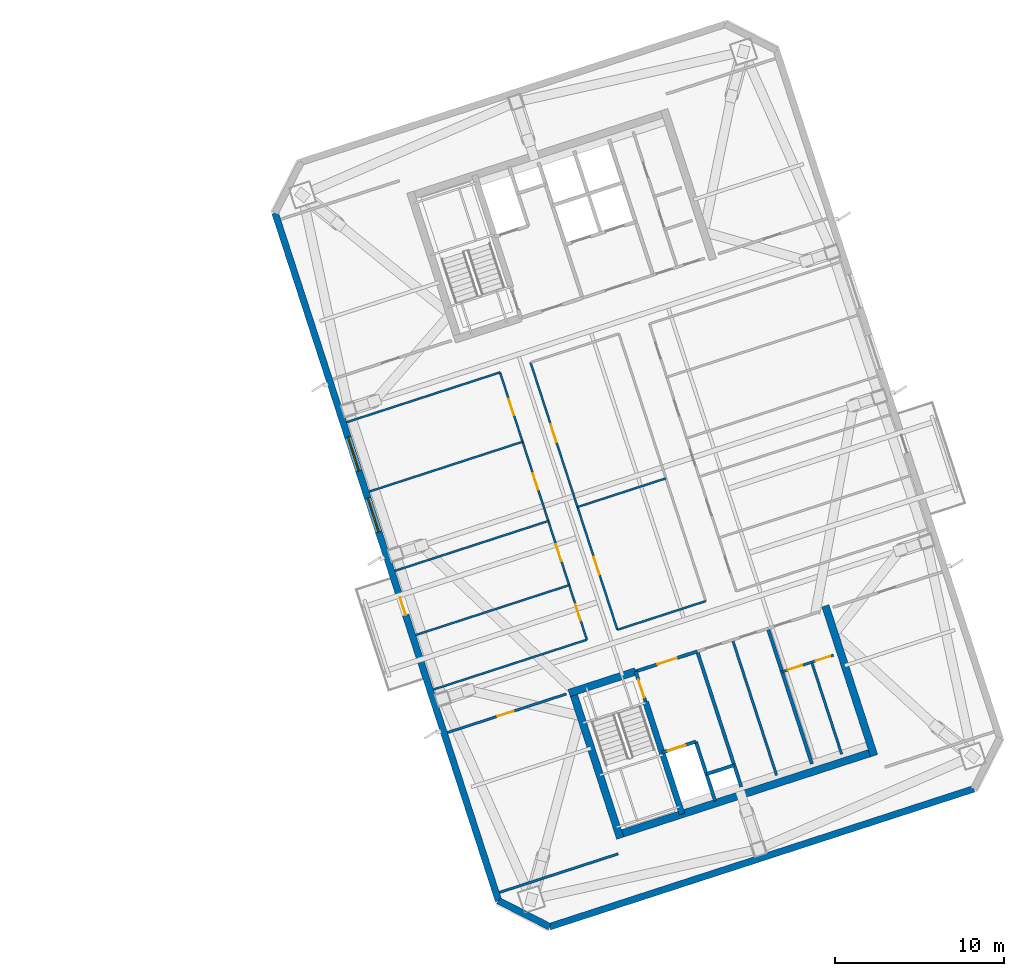
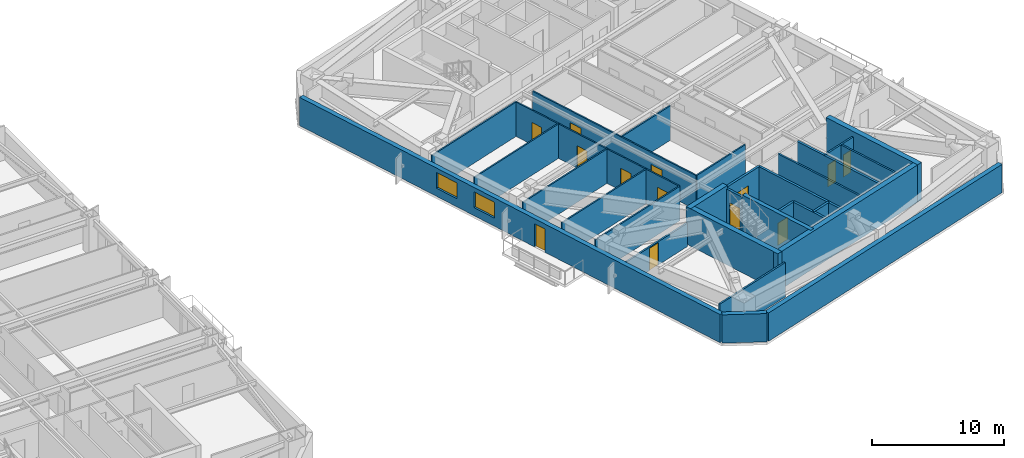
# One storey, part 9 of 18: 29 walls, 13 doors, 2 windows, 15 openings.
"""IFC4 building model written with IfcOpenShell, lengths in metres."""

from ifc_helpers import new_model, si_unit, direction, frame, frame_2d, origin, place, context, subcontext, project, spatial, rectangle, extrude, material, layer, layer_set, type_object, element, fill, save


model = new_model("IFC4")

# Units and contexts
model_context = context("Model", 3, precision=1e-05, world=origin(), true_north=direction((0.0, 1.0)))
body_context = subcontext(model_context, "Body", "Model", "MODEL_VIEW")
ifc_project = project(units=[si_unit("LENGTHUNIT", "METRE"), si_unit("AREAUNIT", "SQUARE_METRE"), si_unit("VOLUMEUNIT", "CUBIC_METRE"), si_unit("PLANEANGLEUNIT", "RADIAN"), si_unit("MASSUNIT", "GRAM", prefix="KILO")], contexts=[model_context])

# Site, building, storey
site_placement = place(None, origin())
site = spatial("IfcSite", under=ifc_project, at=site_placement, CompositionType="ELEMENT")
building_placement = place(site_placement, origin())
building = spatial("IfcBuilding", under=site, at=building_placement, Name="Qiaolan Cultural Towers", CompositionType="ELEMENT")
storey_placement = place(building_placement, frame((0.0, 0.0, 195.5)))
storey = spatial("IfcBuildingStorey", under=building, at=storey_placement, Name="L52", CompositionType="ELEMENT", Elevation=195.5)

# Walls
ifc_material_1 = material(Name="Concrete C50", Category="concrete")
ifc_layer_1 = layer(ifc_material_1, 0.35009765625)
ifc_layer_set_1 = layer_set([ifc_layer_1], Name="Concrete C50")
wall_type_1 = type_object("IfcWallType", Name="WL-CORE-350", PredefinedType="SHEAR", material=ifc_layer_set_1)
wall_1_placement = place(storey_placement, frame((90.486328125, 20.59423828125, 0.0), z_axis=(0.0, 0.0, 1.0), x_axis=(0.309020428229, -0.951055400562, 0.0)))
element("IfcWall", 1, at=wall_1_placement, inside=storey, type_object=wall_type_1, Name="L52 T2-CS Stair Core Dividing Web", PredefinedType="SHEAR", context=body_context, shape_type="SweptSolid", body=[
    extrude(rectangle(XDim=6.97998046875, YDim=0.35009765625, at=frame_2d((3.489990234375, 0.0))), origin(), (0.0, 0.0, 1.0), 3.449951171875),
])
ifc_material_2 = material(Name="Concrete C50", Category="concrete")
ifc_layer_2 = layer(ifc_material_2, 0.449951171875)
ifc_layer_set_2 = layer_set([ifc_layer_2], Name="Concrete C50")
wall_type_2 = type_object("IfcWallType", Name="WL-CORE-450", PredefinedType="SHEAR", material=ifc_layer_set_2)
wall_2_placement = place(storey_placement, frame((88.701171875, 12.675048828125, 0.0), z_axis=(0.0, 0.0, 1.0), x_axis=(0.95105824505, 0.309011673763, 0.0)))
element("IfcWall", 2, at=wall_2_placement, inside=storey, type_object=wall_type_2, Name="L52 T2-CS Outer Core Shear Wall", PredefinedType="SHEAR", context=body_context, shape_type="SweptSolid", body=[
    extrude(rectangle(XDim=16.250244140625, YDim=0.449951171875, at=frame_2d((8.125, 0.0))), origin(), (0.0, 0.0, 1.0), 3.449951171875),
])
for number, where, z_axis, x_axis, name in (
    (3, (86.1015625, 21.40380859375, 0.0), (0.0, 0.0, 1.0), (0.309035778627, -0.951050412717, 0.0), "L52 T2-CS West Core Shear Wall"),
    (4, (101.12841796875, 26.286376953125, 0.0), (0.0, 0.0, 1.0), (0.309004419953, -0.951060601881, 0.0), "L52 T2-CS East Core Shear Wall"),
):
    element("IfcWall", number, at=place(storey_placement, frame(where, z_axis=z_axis, x_axis=x_axis)), inside=storey, type_object=wall_type_2, Name=name, PredefinedType="SHEAR", context=body_context, shape_type="SweptSolid", body=[
        extrude(rectangle(XDim=9.330078125, YDim=0.449951171875, at=frame_2d((4.6650390625, 0.0))), origin(), (0.0, 0.0, 1.0), 3.449951171875),
    ])
wall_3_placement = place(storey_placement, frame((85.957275390625, 21.120361328125, 0.0), z_axis=(0.0, 0.0, 1.0), x_axis=(0.951064796122, 0.308991510526, 0.0)))
element("IfcWall", 5, at=wall_3_placement, inside=storey, type_object=wall_type_2, Name="L52 T2-CS Stair Front Shear Wall", PredefinedType="SHEAR", context=body_context, shape_type="SweptSolid", body=[
    extrude(rectangle(XDim=4.14501953125, YDim=0.449951171875, at=frame_2d((2.072509765625, 0.0))), origin(), (0.0, 0.0, 1.0), 3.449951171875),
])

# Wall, openings, door, windows
ifc_material_3 = material(Name="Precast Concrete C50 Honed Stone Pier", Category="masonry")
ifc_layer_3 = layer(ifc_material_3, 0.39990234375)
ifc_layer_set_3 = layer_set([ifc_layer_3], Name="Precast Concrete C50 Honed Stone Pier")
wall_type_3 = type_object("IfcWallType", Name="WL-EXT-PIER-400", PredefinedType="SOLIDWALL", material=ifc_layer_set_3)
wall_4_placement = place(storey_placement, frame((81.7763671875, 8.82666015625, 0.0), z_axis=(0.0, 0.0, 1.0), x_axis=(-0.309014228706, 0.951057414911, 0.0)))
wall_4 = element("IfcWall", 6, at=wall_4_placement, inside=storey, type_object=wall_type_3, Name="L52 East Tower Precast Pier Facade Wall F1", PredefinedType="SOLIDWALL", context=body_context, shape_type="SweptSolid", body=[
    extrude(rectangle(XDim=42.800048828125, YDim=0.39990234375, at=frame_2d((21.39990234375, 0.0))), origin(), (0.0, 0.0, 1.0), 2.610107421875),
])
opening_1_placement = place(wall_4_placement, frame((22.949951171875, 0.0, 0.75)))
opening_1 = element("IfcOpeningElement", 7, at=opening_1_placement, cuts=wall_4, Name="Opening W-05", PredefinedType="OPENING", context=body_context, shape_type="SweptSolid", body=[
    extrude(rectangle(XDim=2.10009765625, YDim=1.4599609375, at=frame_2d((1.050048828125, 0.72998046875))), frame((0.0, 0.2099609375, 0.0), z_axis=(0.0, -1.0, 0.0), x_axis=(1.0, 0.0, 0.0)), (0.0, 0.0, 1.0), 0.419921875),
])
opening_2_placement = place(wall_4_placement, frame((26.75, 0.0, 0.75)))
opening_2 = element("IfcOpeningElement", 8, at=opening_2_placement, cuts=wall_4, Name="Opening W-05", PredefinedType="OPENING", context=body_context, shape_type="SweptSolid", body=[
    extrude(rectangle(XDim=2.10009765625, YDim=1.4599609375, at=frame_2d((1.050048828125, 0.72998046875))), frame((0.0, 0.2099609375, 0.0), z_axis=(0.0, -1.0, 0.0), x_axis=(1.0, 0.0, 0.0)), (0.0, 0.0, 1.0), 0.419921875),
])
opening_3_placement = place(wall_4_placement, frame((17.787109375, 0.0, 0.0)))
opening_3 = element("IfcOpeningElement", 9, at=opening_3_placement, cuts=wall_4, Name="Opening BD-01", PredefinedType="OPENING", context=body_context, shape_type="SweptSolid", body=[
    extrude(rectangle(XDim=1.10009765625, YDim=2.14990234375, at=frame_2d((0.550048828125, 1.074951171875))), frame((0.0, 0.2099609375, 0.0), z_axis=(0.0, -1.0, 0.0), x_axis=(1.0, 0.0, 0.0)), (0.0, 0.0, 1.0), 0.419921875),
])
ifc_material_4 = material(Name="Thermally Broken Aluminium Glazed Terrace Door", Category="aluminium")
door_type_1 = type_object("IfcDoorType", Name="DR-BAL-1100", OperationType="NOTDEFINED", PredefinedType="DOOR", material=ifc_material_4)
door_1_placement = place(opening_3_placement, origin())
door_1 = element("IfcDoor", 10, at=door_1_placement, inside=storey, type_object=door_type_1, Name="L52 T2 West Tree Balcony Door", OperationType="SINGLE_SWING_LEFT", OverallHeight=2.14990234375, OverallWidth=1.10009765625, PredefinedType="DOOR", context=body_context, shape_type="SweptSolid", body=[
    extrude(rectangle(XDim=1.10009765625, YDim=2.14990234375, at=frame_2d((0.550048828125, 1.074951171875))), frame((0.0, 0.02490234375, 0.0), z_axis=(0.0, -1.0, 0.0), x_axis=(1.0, 0.0, 0.0)), (0.0, 0.0, 1.0), 0.050048828125),
])
fill(opening_3, door_1)
ifc_material_5 = material(Name="Thermally Broken Aluminium Triple Low-E Glazing", Category="aluminium")
window_type = type_object("IfcWindowType", Name="WN-CHIC-2100", PartitioningType="SINGLE_PANEL", PredefinedType="WINDOW", material=ifc_material_5)
window_1_placement = place(opening_1_placement, origin())
window_1 = element("IfcWindow", 11, at=window_1_placement, inside=storey, type_object=window_type, Name="L52 T2 W Chicago Bay Window 1", OverallHeight=1.4599609375, OverallWidth=2.10009765625, PartitioningType="TRIPLE_PANEL_VERTICAL", PredefinedType="WINDOW", context=body_context, shape_type="SweptSolid", body=[
    extrude(rectangle(XDim=2.10009765625, YDim=1.4599609375, at=frame_2d((1.050048828125, 0.72998046875))), frame((0.0, 0.030029296875, 0.0), z_axis=(0.0, -1.0, 0.0), x_axis=(1.0, 0.0, 0.0)), (0.0, 0.0, 1.0), 0.06005859375),
])
fill(opening_1, window_1)
window_2_placement = place(opening_2_placement, origin())
window_2 = element("IfcWindow", 12, at=window_2_placement, inside=storey, type_object=window_type, Name="L52 T2 W Chicago Bay Window 2", OverallHeight=1.4599609375, OverallWidth=2.10009765625, PartitioningType="TRIPLE_PANEL_VERTICAL", PredefinedType="WINDOW", context=body_context, shape_type="SweptSolid", body=[
    extrude(rectangle(XDim=2.10009765625, YDim=1.4599609375, at=frame_2d((1.050048828125, 0.72998046875))), frame((0.0, 0.030029296875, 0.0), z_axis=(0.0, -1.0, 0.0), x_axis=(1.0, 0.0, 0.0)), (0.0, 0.0, 1.0), 0.06005859375),
])
fill(opening_2, window_2)

# Walls
wall_5_placement = place(storey_placement, frame((109.908447265625, 15.44384765625, 0.0), z_axis=(0.0, 0.0, 1.0), x_axis=(-0.951057580055, -0.30901372044, 0.0)))
element("IfcWall", 13, at=wall_5_placement, inside=storey, type_object=wall_type_3, Name="L52 East Tower Precast Pier Facade Wall F7", PredefinedType="SOLIDWALL", context=body_context, shape_type="SweptSolid", body=[
    extrude(rectangle(XDim=26.39990234375, YDim=0.39990234375, at=frame_2d((13.199951171875, 0.0))), origin(), (0.0, 0.0, 1.0), 2.610107421875),
])
wall_6_placement = place(storey_placement, frame((84.800537109375, 7.285888671875, 0.0), z_axis=(0.0, 0.0, 1.0), x_axis=(-0.891020832027, 0.453962417932, 0.0)))
element("IfcWall", 14, at=wall_6_placement, inside=storey, type_object=wall_type_3, Name="L52 East Tower Precast Pier Facade Wall F8", PredefinedType="SOLIDWALL", context=body_context, shape_type="SweptSolid", body=[
    extrude(rectangle(XDim=3.39404296875, YDim=0.39990234375, at=frame_2d((1.697021484375, 0.0))), origin(), (0.0, 0.0, 1.0), 2.610107421875),
])

# Wall, opening, door
ifc_material_6 = material(Name="Concrete C35 Fire Wall", Category="concrete")
ifc_layer_4 = layer(ifc_material_6, 0.199951171875)
ifc_layer_set_4 = layer_set([ifc_layer_4], Name="Concrete C35 Fire Wall")
wall_type_4 = type_object("IfcWallType", Name="WL-FIRE-200", PredefinedType="PARTITIONING", material=ifc_layer_set_4)
wall_7_placement = place(storey_placement, frame((89.8994140625, 22.401123046875, 0.0), z_axis=(0.0, 0.0, 1.0), x_axis=(0.308932062672, -0.951084108086, 0.0)))
wall_7 = element("IfcWall", 15, at=wall_7_placement, inside=storey, type_object=wall_type_4, Name="L52 T2-CS Smokeproof Stair Entry Wall", PredefinedType="PARTITIONING", context=body_context, shape_type="SweptSolid", body=[
    extrude(rectangle(XDim=1.89990234375, YDim=0.199951171875, at=frame_2d((0.949951171875, 0.0))), origin(), (0.0, 0.0, 1.0), 3.175048828125),
])
opening_4_placement = place(wall_7_placement, frame((0.52001953125, 0.0, 0.0)))
opening_4 = element("IfcOpeningElement", 16, at=opening_4_placement, cuts=wall_7, Name="Opening FD-04", PredefinedType="OPENING", context=body_context, shape_type="SweptSolid", body=[
    extrude(rectangle(XDim=1.10009765625, YDim=2.050048828125, at=frame_2d((0.550048828125, 1.02490234375))), frame((0.0, 0.10986328125, 0.0), z_axis=(0.0, -1.0, 0.0), x_axis=(1.0, 0.0, 0.0)), (0.0, 0.0, 1.0), 0.219970703125),
])
ifc_material_7 = material(Name="Galvanized Steel Command Fire Door", Category="steel")
door_type_2 = type_object("IfcDoorType", Name="DR-FD90-1100", OperationType="NOTDEFINED", PredefinedType="DOOR", material=ifc_material_7)
door_2_placement = place(opening_4_placement, origin())
door_2 = element("IfcDoor", 17, at=door_2_placement, inside=storey, type_object=door_type_2, Name="L52 ST-E1 Smokeproof Stair Fire Door", OperationType="SINGLE_SWING_LEFT", OverallHeight=2.050048828125, OverallWidth=1.10009765625, PredefinedType="DOOR", context=body_context, shape_type="SweptSolid", body=[
    extrude(rectangle(XDim=1.10009765625, YDim=2.050048828125, at=frame_2d((0.550048828125, 1.02490234375))), frame((0.0, 0.02490234375, 0.0), z_axis=(0.0, -1.0, 0.0), x_axis=(1.0, 0.0, 0.0)), (0.0, 0.0, 1.0), 0.050048828125),
])
fill(opening_4, door_2)

# Wall
wall_8_placement = place(storey_placement, frame((93.541748046875, 23.584716796875, 0.0), z_axis=(0.0, 0.0, 1.0), x_axis=(0.309042196757, -0.951048327176, 0.0)))
element("IfcWall", 18, at=wall_8_placement, inside=storey, type_object=wall_type_4, Name="L52 T2-CS Firefighting Zone Wall", PredefinedType="PARTITIONING", context=body_context, shape_type="SweptSolid", body=[
    extrude(rectangle(XDim=8.429931640625, YDim=0.199951171875, at=frame_2d((4.21484375, 0.0))), origin(), (0.0, 0.0, 1.0), 3.175048828125),
])

# Wall, opening, door
wall_9_placement = place(storey_placement, frame((89.8994140625, 22.401123046875, 0.0), z_axis=(0.0, 0.0, 1.0), x_axis=(0.951046716504, 0.309047153403, 0.0)))
wall_9 = element("IfcWall", 19, at=wall_9_placement, inside=storey, type_object=wall_type_4, Name="L52 T2-CS Firefighting Lobby Front Wall", PredefinedType="PARTITIONING", context=body_context, shape_type="SweptSolid", body=[
    extrude(rectangle(XDim=3.829833984375, YDim=0.199951171875, at=frame_2d((1.9150390625, 0.0))), origin(), (0.0, 0.0, 1.0), 3.175048828125),
])
opening_5_placement = place(wall_9_placement, frame((1.35009765625, 0.0, 0.0)))
opening_5 = element("IfcOpeningElement", 20, at=opening_5_placement, cuts=wall_9, Name="Opening FD-03", PredefinedType="OPENING", context=body_context, shape_type="SweptSolid", body=[
    extrude(rectangle(XDim=1.199951171875, YDim=2.050048828125, at=frame_2d((0.60009765625, 1.02490234375))), frame((0.0, 0.10986328125, 0.0), z_axis=(0.0, -1.0, 0.0), x_axis=(1.0, 0.0, 0.0)), (0.0, 0.0, 1.0), 0.219970703125),
])
ifc_material_8 = material(Name="Galvanized Steel Smokeproof Lobby Fire Door", Category="steel")
door_type_3 = type_object("IfcDoorType", Name="DR-FD90-1200", OperationType="NOTDEFINED", PredefinedType="DOOR", material=ifc_material_8)
door_3_placement = place(opening_5_placement, origin())
door_3 = element("IfcDoor", 21, at=door_3_placement, inside=storey, type_object=door_type_3, Name="L52 FFL-E1 Firefighting Lobby Fire Door", OperationType="SINGLE_SWING_LEFT", OverallHeight=2.050048828125, OverallWidth=1.199951171875, PredefinedType="DOOR", context=body_context, shape_type="SweptSolid", body=[
    extrude(rectangle(XDim=1.199951171875, YDim=2.050048828125, at=frame_2d((0.60009765625, 1.02490234375))), frame((0.0, 0.02490234375, 0.0), z_axis=(0.0, -1.0, 0.0), x_axis=(1.0, 0.0, 0.0)), (0.0, 0.0, 1.0), 0.050048828125),
])
fill(opening_5, door_3)

wall_10_placement = place(storey_placement, frame((91.459716796875, 17.598388671875, 0.0), z_axis=(0.0, 0.0, 1.0), x_axis=(0.951062257173, 0.308999325213, 0.0)))
wall_10 = element("IfcWall", 22, at=wall_10_placement, inside=storey, type_object=wall_type_4, Name="L52 T2-CS Firefighting Shaft Front Wall", PredefinedType="PARTITIONING", context=body_context, shape_type="SweptSolid", body=[
    extrude(rectangle(XDim=2.10009765625, YDim=0.199951171875, at=frame_2d((1.050048828125, 0.0))), origin(), (0.0, 0.0, 1.0), 3.175048828125),
])
opening_6_placement = place(wall_10_placement, frame((0.35009765625, 0.0, 0.0)))
opening_6 = element("IfcOpeningElement", 23, at=opening_6_placement, cuts=wall_10, Name="Opening LD-01", PredefinedType="OPENING", context=body_context, shape_type="SweptSolid", body=[
    extrude(rectangle(XDim=1.10009765625, YDim=2.050048828125, at=frame_2d((0.550048828125, 1.02490234375))), frame((0.0, 0.10986328125, 0.0), z_axis=(0.0, -1.0, 0.0), x_axis=(1.0, 0.0, 0.0)), (0.0, 0.0, 1.0), 0.219970703125),
])
ifc_material_9 = material(Name="Brushed Stainless Steel S30408 Centre-Parting Lift Landing Door", Category="steel")
door_type_4 = type_object("IfcDoorType", Name="DR-LIFT-1100", OperationType="NOTDEFINED", PredefinedType="DOOR", material=ifc_material_9)
door_4_placement = place(opening_6_placement, origin())
door_4 = element("IfcDoor", 24, at=door_4_placement, inside=storey, type_object=door_type_4, Name="L52 FFL-E1 Firefighting Lift Landing Door", OperationType="DOUBLE_DOOR_SLIDING", OverallHeight=2.050048828125, OverallWidth=1.10009765625, PredefinedType="DOOR", context=body_context, shape_type="SweptSolid", body=[
    extrude(rectangle(XDim=1.10009765625, YDim=2.050048828125, at=frame_2d((0.550048828125, 1.02490234375))), frame((0.0, 0.02490234375, 0.0), z_axis=(0.0, -1.0, 0.0), x_axis=(1.0, 0.0, 0.0)), (0.0, 0.0, 1.0), 0.050048828125),
])
fill(opening_6, door_4)

# Walls
wall_11_placement = place(storey_placement, frame((93.45703125, 18.247314453125, 0.0), z_axis=(0.0, 0.0, 1.0), x_axis=(0.3089935693, -0.951064127245, 0.0)))
element("IfcWall", 25, at=wall_11_placement, inside=storey, type_object=wall_type_4, Name="L52 T2-CS Firefighting Hoistway East Wall", PredefinedType="PARTITIONING", context=body_context, shape_type="SweptSolid", body=[
    extrude(rectangle(XDim=3.7001953125, YDim=0.199951171875, at=frame_2d((1.85009765625, 0.0))), origin(), (0.0, 0.0, 1.0), 3.175048828125),
])
wall_12_placement = place(storey_placement, frame((94.08447265625, 16.316650390625, 0.0), z_axis=(0.0, 0.0, 1.0), x_axis=(0.951041328149, 0.309063734775, 0.0)))
element("IfcWall", 26, at=wall_12_placement, inside=storey, type_object=wall_type_4, Name="L52 T2-CS Pressurization Shaft Front Wall", PredefinedType="PARTITIONING", context=body_context, shape_type="SweptSolid", body=[
    extrude(rectangle(XDim=1.72998046875, YDim=0.199951171875, at=frame_2d((0.864990234375, 0.0))), origin(), (0.0, 0.0, 1.0), 3.175048828125),
])
wall_13_placement = place(storey_placement, frame((97.7265625, 24.9443359375, 0.0), z_axis=(0.0, 0.0, 1.0), x_axis=(0.309016001439, -0.951056838919, 0.0)))
element("IfcWall", 27, at=wall_13_placement, inside=storey, type_object=wall_type_4, Name="L52 T2-CS Lift Core East Wall", PredefinedType="PARTITIONING", context=body_context, shape_type="SweptSolid", body=[
    extrude(rectangle(XDim=8.429931640625, YDim=0.199951171875, at=frame_2d((4.21484375, 0.0))), origin(), (0.0, 0.0, 1.0), 3.175048828125),
])
ifc_material_10 = material(Name="Gypsum Stud Acoustic Partition", Category="gypsum")
ifc_layer_5 = layer(ifc_material_10, 0.1201171875)
ifc_layer_set_5 = layer_set([ifc_layer_5], Name="Gypsum Stud Acoustic Partition")
wall_type_5 = type_object("IfcWallType", Name="WL-PART-120", PredefinedType="PARTITIONING", material=ifc_layer_set_5)
wall_14_placement = place(storey_placement, frame((77.9248046875, 21.328369140625, 0.0), z_axis=(0.0, 0.0, 1.0), x_axis=(0.951053980838, 0.309024797601, 0.0)))
element("IfcWall", 28, at=wall_14_placement, inside=storey, type_object=wall_type_5, Name="L52 T2 Interior Wall", PredefinedType="PARTITIONING", context=body_context, shape_type="SweptSolid", body=[
    extrude(rectangle(XDim=9.550048828125, YDim=0.1201171875, at=frame_2d((4.77490234375, 0.0))), origin(), (0.0, 0.0, 1.0), 3.175048828125),
])
wall_15_placement = place(storey_placement, frame((88.814453125, 24.86669921875, 0.0), z_axis=(0.0, 0.0, 1.0), x_axis=(0.951061793147, 0.309000753423, 0.0)))
element("IfcWall", 29, at=wall_15_placement, inside=storey, type_object=wall_type_5, Name="L52 T2 Interior Wall", PredefinedType="PARTITIONING", context=body_context, shape_type="SweptSolid", body=[
    extrude(rectangle(XDim=5.499755859375, YDim=0.1201171875, at=frame_2d((2.75, 0.0))), origin(), (0.0, 0.0, 1.0), 3.175048828125),
])
wall_16_placement = place(storey_placement, frame((72.78271484375, 37.15380859375, 0.0), z_axis=(0.0, 0.0, 1.0), x_axis=(0.951053980838, 0.309024797601, 0.0)))
element("IfcWall", 30, at=wall_16_placement, inside=storey, type_object=wall_type_5, Name="L52 T2 Interior Wall", PredefinedType="PARTITIONING", context=body_context, shape_type="SweptSolid", body=[
    extrude(rectangle(XDim=9.550048828125, YDim=0.1201171875, at=frame_2d((4.77490234375, 0.0))), origin(), (0.0, 0.0, 1.0), 3.175048828125),
])

# Wall, openings, doors
wall_17_placement = place(storey_placement, frame((87.00732421875, 24.279541015625, 0.0), z_axis=(0.0, 0.0, 1.0), x_axis=(-0.309022042254, 0.951054876125, 0.0)))
wall_17 = element("IfcWall", 31, at=wall_17_placement, inside=storey, type_object=wall_type_5, Name="L52 T2 Interior Wall", PredefinedType="PARTITIONING", context=body_context, shape_type="SweptSolid", body=[
    extrude(rectangle(XDim=16.639892578125, YDim=0.1201171875, at=frame_2d((8.31982421875, 0.0))), origin(), (0.0, 0.0, 1.0), 3.175048828125),
])
opening_7_placement = place(wall_17_placement, frame((1.197265625, 0.0, 0.0)))
opening_7 = element("IfcOpeningElement", 32, at=opening_7_placement, cuts=wall_17, Name="Opening ID-04", PredefinedType="OPENING", context=body_context, shape_type="SweptSolid", body=[
    extrude(rectangle(XDim=1.0, YDim=2.050048828125, at=frame_2d((0.5, 1.02490234375))), frame((0.0, 0.070068359375, 0.0), z_axis=(0.0, -1.0, 0.0), x_axis=(1.0, 0.0, 0.0)), (0.0, 0.0, 1.0), 0.14013671875),
])
opening_8_placement = place(wall_17_placement, frame((4.89111328125, 0.0, 0.0)))
opening_8 = element("IfcOpeningElement", 33, at=opening_8_placement, cuts=wall_17, Name="Opening ID-07", PredefinedType="OPENING", context=body_context, shape_type="SweptSolid", body=[
    extrude(rectangle(XDim=1.050048828125, YDim=2.050048828125, at=frame_2d((0.52490234375, 1.02490234375))), frame((0.0, 0.070068359375, 0.0), z_axis=(0.0, -1.0, 0.0), x_axis=(1.0, 0.0, 0.0)), (0.0, 0.0, 1.0), 0.14013671875),
])
opening_9_placement = place(wall_17_placement, frame((9.35400390625, 0.0, 0.0)))
opening_9 = element("IfcOpeningElement", 34, at=opening_9_placement, cuts=wall_17, Name="Opening ID-04", PredefinedType="OPENING", context=body_context, shape_type="SweptSolid", body=[
    extrude(rectangle(XDim=1.0, YDim=2.050048828125, at=frame_2d((0.5, 1.02490234375))), frame((0.0, 0.070068359375, 0.0), z_axis=(0.0, -1.0, 0.0), x_axis=(1.0, 0.0, 0.0)), (0.0, 0.0, 1.0), 0.14013671875),
])
opening_10_placement = place(wall_17_placement, frame((13.97998046875, 0.0, 0.0)))
opening_10 = element("IfcOpeningElement", 35, at=opening_10_placement, cuts=wall_17, Name="Opening ID-04", PredefinedType="OPENING", context=body_context, shape_type="SweptSolid", body=[
    extrude(rectangle(XDim=1.0, YDim=2.050048828125, at=frame_2d((0.5, 1.02490234375))), frame((0.0, 0.070068359375, 0.0), z_axis=(0.0, -1.0, 0.0), x_axis=(1.0, 0.0, 0.0)), (0.0, 0.0, 1.0), 0.14013671875),
])
ifc_material_11 = material(Name="Oak Veneer Acoustic Office Door", Category="timber")
door_type_5 = type_object("IfcDoorType", Name="DR-INT-1000", OperationType="NOTDEFINED", PredefinedType="DOOR", material=ifc_material_11)
door_5_placement = place(opening_7_placement, origin())
door_5 = element("IfcDoor", 36, at=door_5_placement, inside=storey, type_object=door_type_5, Name="L52 T2 International Law Office Door", OperationType="SINGLE_SWING_LEFT", OverallHeight=2.050048828125, OverallWidth=1.0, PredefinedType="DOOR", context=body_context, shape_type="SweptSolid", body=[
    extrude(rectangle(XDim=1.0, YDim=2.050048828125, at=frame_2d((0.5, 1.02490234375))), frame((0.0, 0.02490234375, 0.0), z_axis=(0.0, -1.0, 0.0), x_axis=(1.0, 0.0, 0.0)), (0.0, 0.0, 1.0), 0.050048828125),
])
fill(opening_7, door_5)
door_6_placement = place(opening_9_placement, origin())
door_6 = element("IfcDoor", 37, at=door_6_placement, inside=storey, type_object=door_type_5, Name="L52 T2 International Law Office Door", OperationType="SINGLE_SWING_LEFT", OverallHeight=2.050048828125, OverallWidth=1.0, PredefinedType="DOOR", context=body_context, shape_type="SweptSolid", body=[
    extrude(rectangle(XDim=1.0, YDim=2.050048828125, at=frame_2d((0.5, 1.02490234375))), frame((0.0, 0.02490234375, 0.0), z_axis=(0.0, -1.0, 0.0), x_axis=(1.0, 0.0, 0.0)), (0.0, 0.0, 1.0), 0.050048828125),
])
fill(opening_9, door_6)
door_7_placement = place(opening_10_placement, origin())
door_7 = element("IfcDoor", 38, at=door_7_placement, inside=storey, type_object=door_type_5, Name="L52 T2 Arbitration Room Door", OperationType="SINGLE_SWING_RIGHT", OverallHeight=2.050048828125, OverallWidth=1.0, PredefinedType="DOOR", context=body_context, shape_type="SweptSolid", body=[
    extrude(rectangle(XDim=1.0, YDim=2.050048828125, at=frame_2d((0.5, 1.02490234375))), frame((0.0, 0.02490234375, 0.0), z_axis=(0.0, -1.0, 0.0), x_axis=(1.0, 0.0, 0.0)), (0.0, 0.0, 1.0), 0.050048828125),
])
fill(opening_10, door_7)
ifc_material_12 = material(Name="Oak Veneer Consultation Door", Category="timber")
door_type_6 = type_object("IfcDoorType", Name="DR-INT-1050", OperationType="NOTDEFINED", PredefinedType="DOOR", material=ifc_material_12)
door_8_placement = place(opening_8_placement, origin())
door_8 = element("IfcDoor", 39, at=door_8_placement, inside=storey, type_object=door_type_6, Name="L52 T2 International Law Office Door", OperationType="SINGLE_SWING_RIGHT", OverallHeight=2.050048828125, OverallWidth=1.050048828125, PredefinedType="DOOR", context=body_context, shape_type="SweptSolid", body=[
    extrude(rectangle(XDim=1.050048828125, YDim=2.050048828125, at=frame_2d((0.52490234375, 1.02490234375))), frame((0.0, 0.02490234375, 0.0), z_axis=(0.0, -1.0, 0.0), x_axis=(1.0, 0.0, 0.0)), (0.0, 0.0, 1.0), 0.050048828125),
])
fill(opening_8, door_8)

wall_18_placement = place(storey_placement, frame((88.814453125, 24.86669921875, 0.0), z_axis=(0.0, 0.0, 1.0), x_axis=(-0.309022042254, 0.951054876125, 0.0)))
wall_18 = element("IfcWall", 40, at=wall_18_placement, inside=storey, type_object=wall_type_5, Name="L52 T2 Interior Wall", PredefinedType="PARTITIONING", context=body_context, shape_type="SweptSolid", body=[
    extrude(rectangle(XDim=16.639892578125, YDim=0.1201171875, at=frame_2d((8.31982421875, 0.0))), origin(), (0.0, 0.0, 1.0), 3.175048828125),
])
opening_11_placement = place(wall_18_placement, frame((3.43798828125, 0.0, 0.0)))
opening_11 = element("IfcOpeningElement", 41, at=opening_11_placement, cuts=wall_18, Name="Opening ID-03", PredefinedType="OPENING", context=body_context, shape_type="SweptSolid", body=[
    extrude(rectangle(XDim=1.10009765625, YDim=2.050048828125, at=frame_2d((0.550048828125, 1.02490234375))), frame((0.0, 0.070068359375, 0.0), z_axis=(0.0, -1.0, 0.0), x_axis=(1.0, 0.0, 0.0)), (0.0, 0.0, 1.0), 0.14013671875),
])
opening_12_placement = place(wall_18_placement, frame((11.68994140625, 0.0, 0.0)))
opening_12 = element("IfcOpeningElement", 42, at=opening_12_placement, cuts=wall_18, Name="Opening ID-03", PredefinedType="OPENING", context=body_context, shape_type="SweptSolid", body=[
    extrude(rectangle(XDim=1.10009765625, YDim=2.050048828125, at=frame_2d((0.550048828125, 1.02490234375))), frame((0.0, 0.070068359375, 0.0), z_axis=(0.0, -1.0, 0.0), x_axis=(1.0, 0.0, 0.0)), (0.0, 0.0, 1.0), 0.14013671875),
])
ifc_material_13 = material(Name="Oak Veneer Solid-Core Boardroom Door", Category="timber")
door_type_7 = type_object("IfcDoorType", Name="DR-INT-1100", OperationType="NOTDEFINED", PredefinedType="DOOR", material=ifc_material_13)
door_9_placement = place(opening_11_placement, origin())
door_9 = element("IfcDoor", 43, at=door_9_placement, inside=storey, type_object=door_type_7, Name="L52 T2 Central Boardroom Door", OperationType="SINGLE_SWING_LEFT", OverallHeight=2.050048828125, OverallWidth=1.10009765625, PredefinedType="DOOR", context=body_context, shape_type="SweptSolid", body=[
    extrude(rectangle(XDim=1.10009765625, YDim=2.050048828125, at=frame_2d((0.550048828125, 1.02490234375))), frame((0.0, 0.02490234375, 0.0), z_axis=(0.0, -1.0, 0.0), x_axis=(1.0, 0.0, 0.0)), (0.0, 0.0, 1.0), 0.050048828125),
])
fill(opening_11, door_9)
door_10_placement = place(opening_12_placement, origin())
door_10 = element("IfcDoor", 44, at=door_10_placement, inside=storey, type_object=door_type_7, Name="L52 T2 Central Archive Salon Door", OperationType="SINGLE_SWING_RIGHT", OverallHeight=2.050048828125, OverallWidth=1.10009765625, PredefinedType="DOOR", context=body_context, shape_type="SweptSolid", body=[
    extrude(rectangle(XDim=1.10009765625, YDim=2.050048828125, at=frame_2d((0.550048828125, 1.02490234375))), frame((0.0, 0.02490234375, 0.0), z_axis=(0.0, -1.0, 0.0), x_axis=(1.0, 0.0, 0.0)), (0.0, 0.0, 1.0), 0.050048828125),
])
fill(opening_12, door_10)

# Walls
wall_19_placement = place(storey_placement, frame((86.453369140625, 32.132568359375, 0.0), z_axis=(0.0, 0.0, 1.0), x_axis=(0.951052986339, 0.309027858251, 0.0)))
element("IfcWall", 45, at=wall_19_placement, inside=storey, type_object=wall_type_5, Name="L52 T2 Interior Wall", PredefinedType="PARTITIONING", context=body_context, shape_type="SweptSolid", body=[
    extrude(rectangle(XDim=5.500244140625, YDim=0.1201171875, at=frame_2d((2.75, 0.0))), origin(), (0.0, 0.0, 1.0), 3.175048828125),
])
wall_20_placement = place(storey_placement, frame((76.875732421875, 24.556640625, 0.0), z_axis=(0.0, 0.0, 1.0), x_axis=(0.951056422073, 0.309017284359, 0.0)))
element("IfcWall", 46, at=wall_20_placement, inside=storey, type_object=wall_type_5, Name="L52 T2 Interior Wall", PredefinedType="PARTITIONING", context=body_context, shape_type="SweptSolid", body=[
    extrude(rectangle(XDim=9.55029296875, YDim=0.1201171875, at=frame_2d((4.775146484375, 0.0))), origin(), (0.0, 0.0, 1.0), 3.175048828125),
])
for number, where, z_axis, x_axis, name in (
    (47, (75.641845703125, 28.354736328125, 0.0), (0.0, 0.0, 1.0), (0.951053980838, 0.309024797601, 0.0), "L52 T2 Interior Wall"),
    (48, (74.11767578125, 33.04541015625, 0.0), (0.0, 0.0, 1.0), (0.951053980838, 0.309024797601, 0.0), "L52 T2 Interior Wall"),
):
    element("IfcWall", number, at=place(storey_placement, frame(where, z_axis=z_axis, x_axis=x_axis)), inside=storey, type_object=wall_type_5, Name=name, PredefinedType="PARTITIONING", context=body_context, shape_type="SweptSolid", body=[
        extrude(rectangle(XDim=9.550048828125, YDim=0.1201171875, at=frame_2d((4.77490234375, 0.0))), origin(), (0.0, 0.0, 1.0), 3.175048828125),
    ])
ifc_material_14 = material(Name="Autoclaved Aerated Concrete Block B06", Category="concrete")
ifc_layer_6 = layer(ifc_material_14, 0.14990234375)
ifc_layer_set_6 = layer_set([ifc_layer_6], Name="Autoclaved Aerated Concrete Block B06")
wall_type_6 = type_object("IfcWallType", Name="WL-PART-150", PredefinedType="PARTITIONING", material=ifc_layer_set_6)
wall_21_placement = place(storey_placement, frame((95.63427734375, 24.2646484375, 0.0), z_axis=(0.0, 0.0, 1.0), x_axis=(0.309007490203, -0.951059604335, 0.0)))
element("IfcWall", 49, at=wall_21_placement, inside=storey, type_object=wall_type_6, Name="L52 T2-CS Reclaimed Twin Room Wall", PredefinedType="PARTITIONING", context=body_context, shape_type="SweptSolid", body=[
    extrude(rectangle(XDim=8.43017578125, YDim=0.14990234375, at=frame_2d((4.215087890625, 0.0))), origin(), (0.0, 0.0, 1.0), 3.175048828125),
])

# Wall, openings, doors
wall_22_placement = place(storey_placement, frame((98.560791015625, 22.37646484375, 0.0), z_axis=(0.0, 0.0, 1.0), x_axis=(0.95104415986, 0.309055020985, 0.0)))
wall_22 = element("IfcWall", 50, at=wall_22_placement, inside=storey, type_object=wall_type_6, Name="L52 T2-CS Restroom Vestibule Wall", PredefinedType="PARTITIONING", context=body_context, shape_type="SweptSolid", body=[
    extrude(rectangle(XDim=3.2001953125, YDim=0.14990234375, at=frame_2d((1.60009765625, 0.0))), origin(), (0.0, 0.0, 1.0), 3.175048828125),
])
opening_13_placement = place(wall_22_placement, frame((0.35009765625, 0.0, 0.0)))
opening_13 = element("IfcOpeningElement", 51, at=opening_13_placement, cuts=wall_22, Name="Opening ID-06", PredefinedType="OPENING", context=body_context, shape_type="SweptSolid", body=[
    extrude(rectangle(XDim=0.89990234375, YDim=2.050048828125, at=frame_2d((0.449951171875, 1.02490234375))), frame((0.0, 0.0849609375, 0.0), z_axis=(0.0, -1.0, 0.0), x_axis=(1.0, 0.0, 0.0)), (0.0, 0.0, 1.0), 0.169921875),
])
opening_14_placement = place(wall_22_placement, frame((2.10009765625, 0.0, 0.0)))
opening_14 = element("IfcOpeningElement", 52, at=opening_14_placement, cuts=wall_22, Name="Opening ID-06", PredefinedType="OPENING", context=body_context, shape_type="SweptSolid", body=[
    extrude(rectangle(XDim=0.89990234375, YDim=2.050048828125, at=frame_2d((0.449951171875, 1.02490234375))), frame((0.0, 0.0849609375, 0.0), z_axis=(0.0, -1.0, 0.0), x_axis=(1.0, 0.0, 0.0)), (0.0, 0.0, 1.0), 0.169921875),
])
ifc_material_15 = material(Name="Fire-Rated Laminate Core Service Door", Category="timber")
door_type_8 = type_object("IfcDoorType", Name="DR-INT-900", OperationType="NOTDEFINED", PredefinedType="DOOR", material=ifc_material_15)
door_11_placement = place(opening_13_placement, origin())
door_11 = element("IfcDoor", 53, at=door_11_placement, inside=storey, type_object=door_type_8, Name="L52 Men Restroom Door", OperationType="SINGLE_SWING_LEFT", OverallHeight=2.050048828125, OverallWidth=0.89990234375, PredefinedType="DOOR", context=body_context, shape_type="SweptSolid", body=[
    extrude(rectangle(XDim=0.89990234375, YDim=2.050048828125, at=frame_2d((0.449951171875, 1.02490234375))), frame((0.0, 0.02490234375, 0.0), z_axis=(0.0, -1.0, 0.0), x_axis=(1.0, 0.0, 0.0)), (0.0, 0.0, 1.0), 0.050048828125),
])
fill(opening_13, door_11)
door_12_placement = place(opening_14_placement, origin())
door_12 = element("IfcDoor", 54, at=door_12_placement, inside=storey, type_object=door_type_8, Name="L52 Accessible & Women Restroom Door", OperationType="SINGLE_SWING_RIGHT", OverallHeight=2.050048828125, OverallWidth=0.89990234375, PredefinedType="DOOR", context=body_context, shape_type="SweptSolid", body=[
    extrude(rectangle(XDim=0.89990234375, YDim=2.050048828125, at=frame_2d((0.449951171875, 1.02490234375))), frame((0.0, 0.02490234375, 0.0), z_axis=(0.0, -1.0, 0.0), x_axis=(1.0, 0.0, 0.0)), (0.0, 0.0, 1.0), 0.050048828125),
])
fill(opening_14, door_12)

# Walls
wall_23_placement = place(storey_placement, frame((100.3203125, 22.9482421875, 0.0), z_axis=(0.0, 0.0, 1.0), x_axis=(0.309035009867, -0.951050662518, 0.0)))
element("IfcWall", 55, at=wall_23_placement, inside=storey, type_object=wall_type_6, Name="L52 T2-CS Restroom Divider Wall", PredefinedType="PARTITIONING", context=body_context, shape_type="SweptSolid", body=[
    extrude(rectangle(XDim=5.72998046875, YDim=0.14990234375, at=frame_2d((2.864990234375, 0.0))), origin(), (0.0, 0.0, 1.0), 3.175048828125),
])
wall_24_placement = place(storey_placement, frame((81.82763671875, 9.31640625, 0.0), z_axis=(0.0, 0.0, 1.0), x_axis=(0.95105128112, 0.309033106124, 0.0)))
element("IfcWall", 56, at=wall_24_placement, inside=storey, type_object=wall_type_6, Name="L52 T2 Flank Wall FLK-SW", PredefinedType="PARTITIONING", context=body_context, shape_type="SweptSolid", body=[
    extrude(rectangle(XDim=7.400146484375, YDim=0.14990234375, at=frame_2d((3.7001953125, 0.0))), origin(), (0.0, 0.0, 1.0), 3.175048828125),
])

# Wall, opening, door
wall_25_placement = place(storey_placement, frame((78.7529296875, 18.779541015625, 0.0), z_axis=(0.0, 0.0, 1.0), x_axis=(0.951060977215, 0.309003264738, 0.0)))
wall_25 = element("IfcWall", 57, at=wall_25_placement, inside=storey, type_object=wall_type_6, Name="L52 T2 Flank Front FLK-SW", PredefinedType="PARTITIONING", context=body_context, shape_type="SweptSolid", body=[
    extrude(rectangle(XDim=7.39990234375, YDim=0.14990234375, at=frame_2d((3.699951171875, 0.0))), origin(), (0.0, 0.0, 1.0), 2.14990234375),
])
opening_15_placement = place(wall_25_placement, frame((3.10791015625, 0.0, 0.0)))
opening_15 = element("IfcOpeningElement", 58, at=opening_15_placement, cuts=wall_25, Name="Opening ID-04", PredefinedType="OPENING", context=body_context, shape_type="SweptSolid", body=[
    extrude(rectangle(XDim=1.0, YDim=2.050048828125, at=frame_2d((0.5, 1.02490234375))), frame((0.0, 0.0849609375, 0.0), z_axis=(0.0, -1.0, 0.0), x_axis=(1.0, 0.0, 0.0)), (0.0, 0.0, 1.0), 0.169921875),
])
door_13_placement = place(opening_15_placement, origin())
door_13 = element("IfcDoor", 59, at=door_13_placement, inside=storey, type_object=door_type_5, Name="L52 T2 Corner Studio Door", OperationType="SINGLE_SWING_LEFT", OverallHeight=2.050048828125, OverallWidth=1.0, PredefinedType="DOOR", context=body_context, shape_type="SweptSolid", body=[
    extrude(rectangle(XDim=1.0, YDim=2.050048828125, at=frame_2d((0.5, 1.02490234375))), frame((0.0, 0.02490234375, 0.0), z_axis=(0.0, -1.0, 0.0), x_axis=(1.0, 0.0, 0.0)), (0.0, 0.0, 1.0), 0.050048828125),
])
fill(opening_15, door_13)

save(model, "model.ifc")
